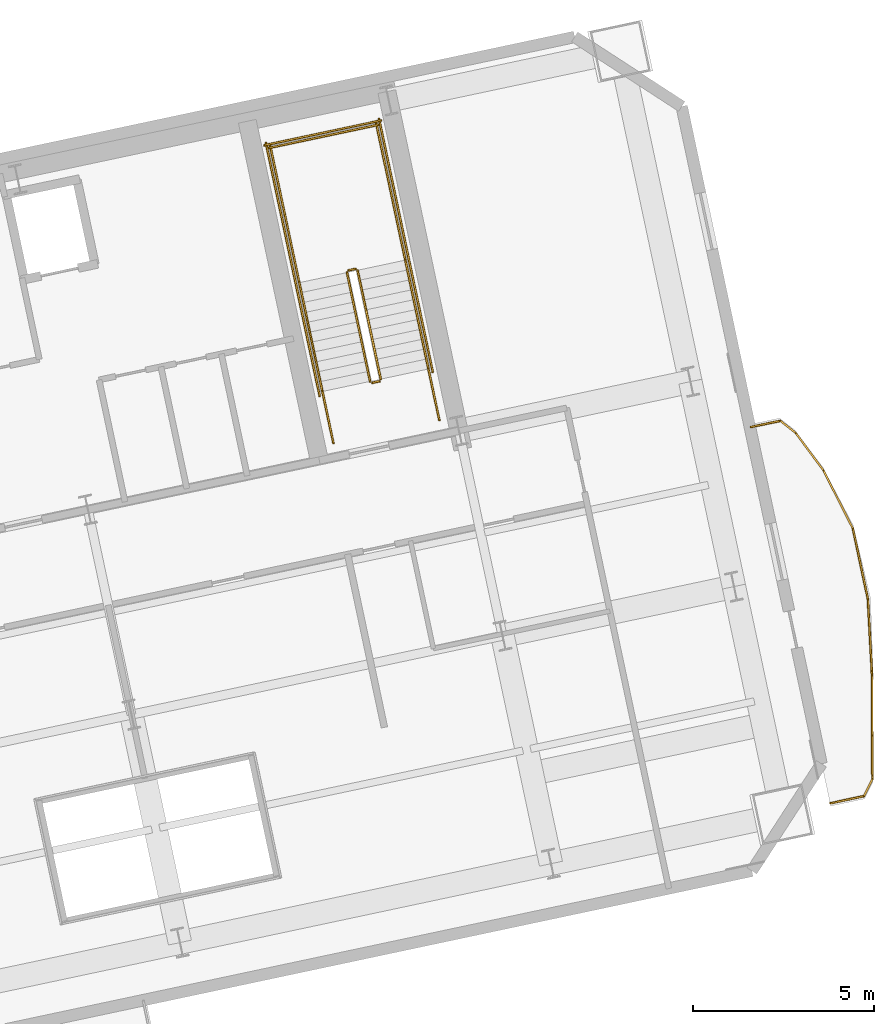
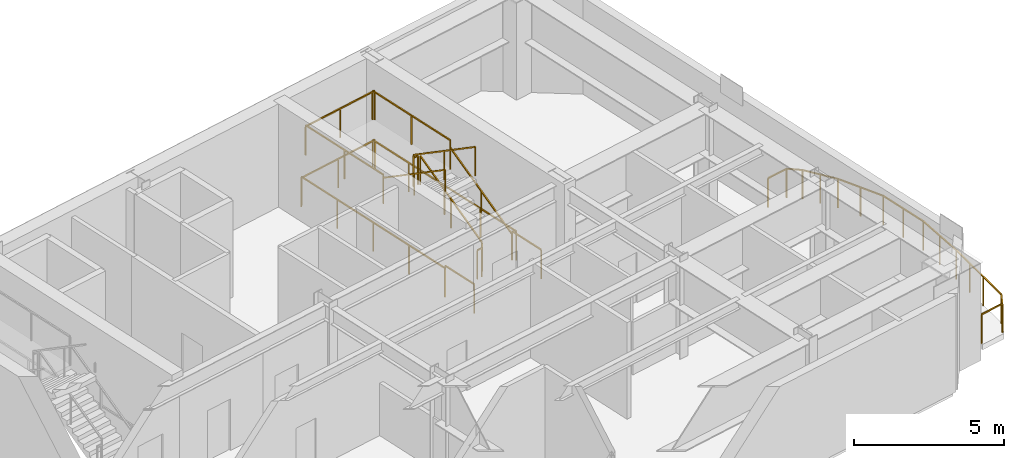
# One storey, part 15 of 15: 24 railings.
"""IFC4 building model written with IfcOpenShell, lengths in metres."""

from ifc_helpers import new_model, si_unit, direction, frame, origin, origin_2d, place, context, subcontext, project, spatial, rectangle, extrude, material, type_object, element, save


model = new_model("IFC4")

# Units and contexts
model_context = context("Model", 3, precision=1e-05, world=origin(), true_north=direction((0.0, 1.0)))
body_context = subcontext(model_context, "Body", "Model", "MODEL_VIEW")
ifc_project = project(units=[si_unit("LENGTHUNIT", "METRE"), si_unit("AREAUNIT", "SQUARE_METRE"), si_unit("VOLUMEUNIT", "CUBIC_METRE"), si_unit("PLANEANGLEUNIT", "RADIAN"), si_unit("MASSUNIT", "GRAM", prefix="KILO")], contexts=[model_context])

# Site, building, storey
site_placement = place(None, origin())
site = spatial("IfcSite", under=ifc_project, at=site_placement, CompositionType="ELEMENT")
building_placement = place(site_placement, origin())
building = spatial("IfcBuilding", under=site, at=building_placement, Name="Haevon Station Towers", CompositionType="ELEMENT")
storey_placement = place(building_placement, frame((0.0, 0.0, 129.60009765625)))
storey = spatial("IfcBuildingStorey", under=building, at=storey_placement, Name="L35", CompositionType="ELEMENT", Elevation=129.60009765625)

# Railings
ifc_material = material(Name="Steel S355", Category="steel")
railing_type_1 = type_object("IfcRailingType", Name="GRD-EXT1200", PredefinedType="GUARDRAIL", material=ifc_material)
railing_1_placement = place(storey_placement, frame((129.584716796875, 31.5009765625, 0.0)))
element("IfcRailing", 1, at=railing_1_placement, inside=storey, type_object=railing_type_1, Name="L35 Perimeter Guardrail 1", PredefinedType="GUARDRAIL", context=body_context, shape_type="SweptSolid", body=[
    extrude(rectangle(XDim=0.048095703125, YDim=0.048095703125, at=origin_2d()), frame((0.0, 0.0, 1.17578125), z_axis=(0.97773800114, 0.209829457244, 0.0), x_axis=(-0.209829457244, 0.97773800114, 0.0)), (0.0, 0.0, 1.0), 0.943603515625),
    extrude(rectangle(XDim=0.0419921875, YDim=0.0419921875, at=origin_2d()), origin(), (0.0, 0.0, 1.0), 1.15185546875),
    extrude(rectangle(XDim=0.0419921875, YDim=0.0419921875, at=origin_2d()), frame((0.922607421875, 0.197998046875, 0.0)), (0.0, 0.0, 1.0), 1.15185546875),
])
railing_2_placement = place(storey_placement, frame((130.50732421875, 31.698974609375, 0.0)))
element("IfcRailing", 2, at=railing_2_placement, inside=storey, type_object=railing_type_1, Name="L35 Perimeter Guardrail 2", PredefinedType="GUARDRAIL", context=body_context, shape_type="SweptSolid", body=[
    extrude(rectangle(XDim=0.048095703125, YDim=0.048095703125, at=origin_2d()), frame((0.0, 0.0, 1.17578125), z_axis=(0.441418206512, 0.897301491673, 0.0), x_axis=(-0.897301491673, 0.441418206512, 0.0)), (0.0, 0.0, 1.0), 0.523193359375),
    extrude(rectangle(XDim=0.0419921875, YDim=0.0419921875, at=origin_2d()), origin(), (0.0, 0.0, 1.0), 1.15185546875),
    extrude(rectangle(XDim=0.0419921875, YDim=0.0419921875, at=origin_2d()), frame((0.23095703125, 0.469482421875, 0.0)), (0.0, 0.0, 1.0), 1.15185546875),
])
railing_3_placement = place(storey_placement, frame((130.73828125, 32.16845703125, 0.0)))
element("IfcRailing", 3, at=railing_3_placement, inside=storey, type_object=railing_type_1, Name="L35 Perimeter Guardrail 3", PredefinedType="GUARDRAIL", context=body_context, shape_type="SweptSolid", body=[
    extrude(rectangle(XDim=0.048095703125, YDim=0.048095703125, at=origin_2d()), frame((0.0, 0.0, 1.17578125), z_axis=(-0.005720028996, 0.9999836405, 0.0), x_axis=(-0.9999836405, -0.005720028996, 0.0)), (0.0, 0.0, 1.0), 1.195068359375),
    extrude(rectangle(XDim=0.0419921875, YDim=0.0419921875, at=origin_2d()), origin(), (0.0, 0.0, 1.0), 1.15185546875),
    extrude(rectangle(XDim=0.0419921875, YDim=0.0419921875, at=origin_2d()), frame((-0.0068359375, 1.195068359375, 0.0)), (0.0, 0.0, 1.0), 1.15185546875),
])
railing_4_placement = place(storey_placement, frame((130.7314453125, 33.363525390625, 0.0)))
element("IfcRailing", 4, at=railing_4_placement, inside=storey, type_object=railing_type_1, Name="L35 Perimeter Guardrail 4", PredefinedType="GUARDRAIL", context=body_context, shape_type="SweptSolid", body=[
    extrude(rectangle(XDim=0.048095703125, YDim=0.048095703125, at=origin_2d()), frame((0.0, 0.0, 1.17578125), z_axis=(-0.00451123229, 0.99998982434, 0.0), x_axis=(-0.99998982434, -0.00451123229, 0.0)), (0.0, 0.0, 1.0), 1.785888671875),
    extrude(rectangle(XDim=0.0419921875, YDim=0.0419921875, at=origin_2d()), origin(), (0.0, 0.0, 1.0), 1.15185546875),
    extrude(rectangle(XDim=0.0419921875, YDim=0.0419921875, at=origin_2d()), frame((-0.00390625, 0.89306640625, 0.0)), (0.0, 0.0, 1.0), 1.15185546875),
    extrude(rectangle(XDim=0.0419921875, YDim=0.0419921875, at=origin_2d()), frame((-0.008056640625, 1.785888671875, 0.0)), (0.0, 0.0, 1.0), 1.15185546875),
])
railing_5_placement = place(storey_placement, frame((130.723388671875, 35.1494140625, 0.0)))
element("IfcRailing", 5, at=railing_5_placement, inside=storey, type_object=railing_type_1, Name="L35 Perimeter Guardrail 5", PredefinedType="GUARDRAIL", context=body_context, shape_type="SweptSolid", body=[
    extrude(rectangle(XDim=0.048095703125, YDim=0.048095703125, at=origin_2d()), frame((0.0, 0.0, 1.17578125), z_axis=(-0.055523734139, 0.998457367616, 0.0), x_axis=(-0.998457367616, -0.055523734139, 0.0)), (0.0, 0.0, 1.0), 2.013916015625),
    extrude(rectangle(XDim=0.0419921875, YDim=0.0419921875, at=origin_2d()), origin(), (0.0, 0.0, 1.0), 1.15185546875),
    extrude(rectangle(XDim=0.0419921875, YDim=0.0419921875, at=origin_2d()), frame((-0.055908203125, 1.00537109375, 0.0)), (0.0, 0.0, 1.0), 1.15185546875),
    extrude(rectangle(XDim=0.0419921875, YDim=0.0419921875, at=origin_2d()), frame((-0.11181640625, 2.0107421875, 0.0)), (0.0, 0.0, 1.0), 1.15185546875),
])
railing_6_placement = place(storey_placement, frame((130.611572265625, 37.16015625, 0.0)))
element("IfcRailing", 6, at=railing_6_placement, inside=storey, type_object=railing_type_1, Name="L35 Perimeter Guardrail 6", PredefinedType="GUARDRAIL", context=body_context, shape_type="SweptSolid", body=[
    extrude(rectangle(XDim=0.048095703125, YDim=0.048095703125, at=origin_2d()), frame((0.0, 0.0, 1.17578125), z_axis=(-0.208768076767, 0.97796517838, 0.0), x_axis=(-0.97796517838, -0.208768076767, 0.0)), (0.0, 0.0, 1.0), 1.993896484375),
    extrude(rectangle(XDim=0.0419921875, YDim=0.0419921875, at=origin_2d()), origin(), (0.0, 0.0, 1.0), 1.15185546875),
    extrude(rectangle(XDim=0.0419921875, YDim=0.0419921875, at=origin_2d()), frame((-0.2080078125, 0.97509765625, 0.0)), (0.0, 0.0, 1.0), 1.15185546875),
    extrude(rectangle(XDim=0.0419921875, YDim=0.0419921875, at=origin_2d()), frame((-0.416259765625, 1.949951171875, 0.0)), (0.0, 0.0, 1.0), 1.15185546875),
])
railing_7_placement = place(storey_placement, frame((130.1953125, 39.110107421875, 0.0)))
element("IfcRailing", 7, at=railing_7_placement, inside=storey, type_object=railing_type_1, Name="L35 Perimeter Guardrail 7", PredefinedType="GUARDRAIL", context=body_context, shape_type="SweptSolid", body=[
    extrude(rectangle(XDim=0.048095703125, YDim=0.048095703125, at=origin_2d()), frame((0.0, 0.0, 1.17578125), z_axis=(-0.452397956323, 0.891816174508, 0.0), x_axis=(-0.891816174508, -0.452397956323, 0.0)), (0.0, 0.0, 1.0), 1.8056640625),
    extrude(rectangle(XDim=0.0419921875, YDim=0.0419921875, at=origin_2d()), origin(), (0.0, 0.0, 1.0), 1.15185546875),
    extrude(rectangle(XDim=0.0419921875, YDim=0.0419921875, at=origin_2d()), frame((-0.408447265625, 0.80517578125, 0.0)), (0.0, 0.0, 1.0), 1.15185546875),
    extrude(rectangle(XDim=0.0419921875, YDim=0.0419921875, at=origin_2d()), frame((-0.81689453125, 1.6103515625, 0.0)), (0.0, 0.0, 1.0), 1.15185546875),
])
railing_8_placement = place(storey_placement, frame((129.37841796875, 40.720458984375, 0.0)))
element("IfcRailing", 8, at=railing_8_placement, inside=storey, type_object=railing_type_1, Name="L35 Perimeter Guardrail 8", PredefinedType="GUARDRAIL", context=body_context, shape_type="SweptSolid", body=[
    extrude(rectangle(XDim=0.048095703125, YDim=0.048095703125, at=origin_2d()), frame((0.0, 0.0, 1.17578125), z_axis=(-0.595527054435, 0.803335252206, 0.0), x_axis=(-0.803335252206, -0.595527054435, 0.0)), (0.0, 0.0, 1.0), 1.286376953125),
    extrude(rectangle(XDim=0.0419921875, YDim=0.0419921875, at=origin_2d()), origin(), (0.0, 0.0, 1.0), 1.15185546875),
    extrude(rectangle(XDim=0.0419921875, YDim=0.0419921875, at=origin_2d()), frame((-0.383056640625, 0.5166015625, 0.0)), (0.0, 0.0, 1.0), 1.15185546875),
    extrude(rectangle(XDim=0.0419921875, YDim=0.0419921875, at=origin_2d()), frame((-0.76611328125, 1.033447265625, 0.0)), (0.0, 0.0, 1.0), 1.15185546875),
])
railing_9_placement = place(storey_placement, frame((128.6123046875, 41.75390625, 0.0)))
element("IfcRailing", 9, at=railing_9_placement, inside=storey, type_object=railing_type_1, Name="L35 Perimeter Guardrail 9", PredefinedType="GUARDRAIL", context=body_context, shape_type="SweptSolid", body=[
    extrude(rectangle(XDim=0.048095703125, YDim=0.048095703125, at=origin_2d()), frame((0.0, 0.0, 1.17578125), z_axis=(-0.78582748016, 0.618445770805, 0.0), x_axis=(-0.618445770805, -0.78582748016, 0.0)), (0.0, 0.0, 1.0), 0.535400390625),
    extrude(rectangle(XDim=0.0419921875, YDim=0.0419921875, at=origin_2d()), origin(), (0.0, 0.0, 1.0), 1.15185546875),
    extrude(rectangle(XDim=0.0419921875, YDim=0.0419921875, at=origin_2d()), frame((-0.420654296875, 0.3310546875, 0.0)), (0.0, 0.0, 1.0), 1.15185546875),
])
railing_10_placement = place(storey_placement, frame((128.191650390625, 42.0849609375, 0.0)))
element("IfcRailing", 10, at=railing_10_placement, inside=storey, type_object=railing_type_1, Name="L35 Perimeter Guardrail 10", PredefinedType="GUARDRAIL", context=body_context, shape_type="SweptSolid", body=[
    extrude(rectangle(XDim=0.048095703125, YDim=0.048095703125, at=origin_2d()), frame((0.0, 0.0, 1.17578125), z_axis=(-0.978605406054, -0.205746103834, 0.0), x_axis=(0.205746103834, -0.978605406054, 0.0)), (0.0, 0.0, 1.0), 0.837646484375),
    extrude(rectangle(XDim=0.0419921875, YDim=0.0419921875, at=origin_2d()), origin(), (0.0, 0.0, 1.0), 1.15185546875),
    extrude(rectangle(XDim=0.0419921875, YDim=0.0419921875, at=origin_2d()), frame((-0.81982421875, -0.17236328125, 0.0)), (0.0, 0.0, 1.0), 1.15185546875),
])
railing_type_2 = type_object("IfcRailingType", Name="GRD-STR1200", PredefinedType="GUARDRAIL", material=ifc_material)
railing_11_placement = place(storey_placement, frame((117.128662109375, 43.23974609375, 0.1748046875)))
element("IfcRailing", 11, at=railing_11_placement, inside=storey, type_object=railing_type_2, Name="L35 ST4 Stair Guard 1", PredefinedType="GUARDRAIL", context=body_context, shape_type="SweptSolid", body=[
    extrude(rectangle(XDim=0.048095703125, YDim=0.048095703125, at=origin_2d()), frame((0.0, 0.0, 1.17578125), z_axis=(-0.176310905062, 0.829461139329, 0.53000819154), x_axis=(-0.978146762005, -0.207915636689, 0.0)), (0.0, 0.0, 1.0), 3.632080078125),
    extrude(rectangle(XDim=0.0419921875, YDim=0.0419921875, at=origin_2d()), origin(), (0.0, 0.0, 1.0), 1.15185546875),
    extrude(rectangle(XDim=0.0419921875, YDim=0.0419921875, at=origin_2d()), frame((-0.3203125, 1.50634765625, 0.96240234375)), (0.0, 0.0, 1.0), 1.15185546875),
    extrude(rectangle(XDim=0.0419921875, YDim=0.0419921875, at=origin_2d()), frame((-0.640380859375, 3.0126953125, 1.925048828125)), (0.0, 0.0, 1.0), 1.15185546875),
])
railing_12_placement = place(storey_placement, frame((116.428955078125, 46.291015625, 2.099853515625)))
element("IfcRailing", 12, at=railing_12_placement, inside=storey, type_object=railing_type_2, Name="L35 ST4 Stair Guard 2", PredefinedType="GUARDRAIL", context=body_context, shape_type="SweptSolid", body=[
    extrude(rectangle(XDim=0.048095703125, YDim=0.048095703125, at=origin_2d()), frame((0.0, 0.0, 1.17578125), z_axis=(-0.977962931203, -0.208778603291, 0.0), x_axis=(0.208778603291, -0.977962931203, 0.0)), (0.0, 0.0, 1.0), 0.199951171875),
    extrude(rectangle(XDim=0.0419921875, YDim=0.0419921875, at=origin_2d()), origin(), (0.0, 0.0, 1.0), 1.15185546875),
    extrude(rectangle(XDim=0.0419921875, YDim=0.0419921875, at=origin_2d()), frame((-0.195556640625, -0.041748046875, 0.0)), (0.0, 0.0, 1.0), 1.15185546875),
])
for number, where, name in (
    (13, (117.808837890625, 46.533203125, 2.099853515625), "L35 ST4 Stair Guard 3"),
    (14, (114.874267578125, 45.909423828125, 2.099853515625), "L35 ST4 Stair Guard 4"),
):
    element("IfcRailing", number, at=place(storey_placement, frame(where)), inside=storey, type_object=railing_type_2, Name=name, PredefinedType="GUARDRAIL", context=body_context, shape_type="SweptSolid", body=[
        extrude(rectangle(XDim=0.048095703125, YDim=0.048095703125, at=origin_2d()), frame((0.0, 0.0, 1.17578125), z_axis=(-0.207930432828, 0.978143616809, 0.0), x_axis=(-0.978143616809, -0.207930432828, 0.0)), (0.0, 0.0, 1.0), 3.869873046875),
        extrude(rectangle(XDim=0.0419921875, YDim=0.0419921875, at=origin_2d()), origin(), (0.0, 0.0, 1.0), 1.15185546875),
        extrude(rectangle(XDim=0.0419921875, YDim=0.0419921875, at=origin_2d()), frame((-0.40234375, 1.892578125, 0.0)), (0.0, 0.0, 1.0), 1.15185546875),
        extrude(rectangle(XDim=0.0419921875, YDim=0.0419921875, at=origin_2d()), frame((-0.8046875, 3.785400390625, 0.0)), (0.0, 0.0, 1.0), 1.15185546875),
    ])
railing_13_placement = place(storey_placement, frame((117.0634765625, 50.280029296875, 2.099853515625)))
element("IfcRailing", 15, at=railing_13_placement, inside=storey, type_object=railing_type_2, Name="L35 ST4 Stair Guard 5", PredefinedType="GUARDRAIL", context=body_context, shape_type="SweptSolid", body=[
    extrude(rectangle(XDim=0.048095703125, YDim=0.048095703125, at=origin_2d()), frame((0.0, 0.0, 1.17578125), z_axis=(-0.978146839882, -0.207915270313, 0.0), x_axis=(0.207915270313, -0.978146839882, 0.0)), (0.0, 0.0, 1.0), 3.099853515625),
    extrude(rectangle(XDim=0.0419921875, YDim=0.0419921875, at=origin_2d()), origin(), (0.0, 0.0, 1.0), 1.15185546875),
    extrude(rectangle(XDim=0.0419921875, YDim=0.0419921875, at=origin_2d()), frame((-1.51611328125, -0.322265625, 0.0)), (0.0, 0.0, 1.0), 1.15185546875),
    extrude(rectangle(XDim=0.0419921875, YDim=0.0419921875, at=origin_2d()), frame((-3.0322265625, -0.64453125, 0.0)), (0.0, 0.0, 1.0), 1.15185546875),
])
railing_14_placement = place(storey_placement, frame((116.19482421875, 46.18994140625, 2.27490234375)))
element("IfcRailing", 16, at=railing_14_placement, inside=storey, type_object=railing_type_2, Name="L35 ST4 Stair Guard 6", PredefinedType="GUARDRAIL", context=body_context, shape_type="SweptSolid", body=[
    extrude(rectangle(XDim=0.048095703125, YDim=0.048095703125, at=origin_2d()), frame((0.0, 0.0, 1.17578125), z_axis=(0.176310905062, -0.829461139329, 0.53000819154), x_axis=(0.978146762005, 0.207915636689, 0.0)), (0.0, 0.0, 1.0), 3.632080078125),
    extrude(rectangle(XDim=0.0419921875, YDim=0.0419921875, at=origin_2d()), origin(), (0.0, 0.0, 1.0), 1.15185546875),
    extrude(rectangle(XDim=0.0419921875, YDim=0.0419921875, at=origin_2d()), frame((0.3203125, -1.50634765625, 0.96240234375)), (0.0, 0.0, 1.0), 1.15185546875),
    extrude(rectangle(XDim=0.0419921875, YDim=0.0419921875, at=origin_2d()), frame((0.640380859375, -3.0126953125, 1.925048828125)), (0.0, 0.0, 1.0), 1.15185546875),
])
railing_15_placement = place(storey_placement, frame((117.090087890625, 43.180419921875, 0.0)))
element("IfcRailing", 17, at=railing_15_placement, inside=storey, type_object=railing_type_2, Name="L35 ST4 Stair Guard 7", PredefinedType="GUARDRAIL", context=body_context, shape_type="SweptSolid", body=[
    extrude(rectangle(XDim=0.048095703125, YDim=0.048095703125, at=origin_2d()), frame((0.0, 0.0, 1.17578125), z_axis=(-0.978211583308, -0.207610448392, 0.0), x_axis=(0.207610448392, -0.978211583308, 0.0)), (0.0, 0.0, 1.0), 0.199951171875),
    extrude(rectangle(XDim=0.0419921875, YDim=0.0419921875, at=origin_2d()), origin(), (0.0, 0.0, 1.0), 1.15185546875),
    extrude(rectangle(XDim=0.0419921875, YDim=0.0419921875, at=origin_2d()), frame((-0.195556640625, -0.04150390625, 0.0)), (0.0, 0.0, 1.0), 1.15185546875),
])
for number, where, name in (
    (18, (118.75048828125, 42.10205078125, 0.0), "L35 ST4 Stair Guard 8"),
    (19, (115.816162109375, 41.478271484375, 0.0), "L35 ST4 Stair Guard 9"),
):
    element("IfcRailing", number, at=place(storey_placement, frame(where)), inside=storey, type_object=railing_type_2, Name=name, PredefinedType="GUARDRAIL", context=body_context, shape_type="SweptSolid", body=[
        extrude(rectangle(XDim=0.048095703125, YDim=0.048095703125, at=origin_2d()), frame((0.0, 0.0, 1.17578125), z_axis=(-0.207919161079, 0.978146012851, 0.0), x_axis=(-0.978146012851, -0.207919161079, 0.0)), (0.0, 0.0, 1.0), 1.4501953125),
        extrude(rectangle(XDim=0.0419921875, YDim=0.0419921875, at=origin_2d()), origin(), (0.0, 0.0, 1.0), 1.15185546875),
        extrude(rectangle(XDim=0.0419921875, YDim=0.0419921875, at=origin_2d()), frame((-0.301513671875, 1.41845703125, 0.0)), (0.0, 0.0, 1.0), 1.15185546875),
    ])
railing_16_placement = place(storey_placement, frame((118.567626953125, 43.443359375, 0.0)))
element("IfcRailing", 20, at=railing_16_placement, inside=storey, type_object=railing_type_2, Name="L35 ST4 Stair Guard 10", PredefinedType="GUARDRAIL", context=body_context, shape_type="SweptSolid", body=[
    extrude(rectangle(XDim=0.048095703125, YDim=0.048095703125, at=origin_2d()), frame((0.0, 0.0, 1.17578125), z_axis=(-0.207908168386, 0.978148349443, 0.0), x_axis=(-0.978148349443, -0.207908168386, 0.0)), (0.0, 0.0, 1.0), 7.150146484375),
    extrude(rectangle(XDim=0.0419921875, YDim=0.0419921875, at=origin_2d()), origin(), (0.0, 0.0, 1.0), 1.15185546875),
    extrude(rectangle(XDim=0.0419921875, YDim=0.0419921875, at=origin_2d()), frame((-0.37158203125, 1.74853515625, 0.0)), (0.0, 0.0, 1.0), 1.15185546875),
    extrude(rectangle(XDim=0.0419921875, YDim=0.0419921875, at=origin_2d()), frame((-0.7431640625, 3.4970703125, 0.0)), (0.0, 0.0, 1.0), 1.15185546875),
    extrude(rectangle(XDim=0.0419921875, YDim=0.0419921875, at=origin_2d()), frame((-1.114990234375, 5.245361328125, 0.0)), (0.0, 0.0, 1.0), 1.15185546875),
    extrude(rectangle(XDim=0.0419921875, YDim=0.0419921875, at=origin_2d()), frame((-1.486572265625, 6.993896484375, 0.0)), (0.0, 0.0, 1.0), 1.15185546875),
])
railing_17_placement = place(storey_placement, frame((115.4375, 42.778076171875, 0.0)))
element("IfcRailing", 21, at=railing_17_placement, inside=storey, type_object=railing_type_2, Name="L35 ST4 Stair Guard 11", PredefinedType="GUARDRAIL", context=body_context, shape_type="SweptSolid", body=[
    extrude(rectangle(XDim=0.048095703125, YDim=0.048095703125, at=origin_2d()), frame((0.0, 0.0, 1.17578125), z_axis=(-0.207882442208, 0.978153817261, 0.0), x_axis=(-0.978153817261, -0.207882442208, 0.0)), (0.0, 0.0, 1.0), 7.14990234375),
    extrude(rectangle(XDim=0.0419921875, YDim=0.0419921875, at=origin_2d()), origin(), (0.0, 0.0, 1.0), 1.15185546875),
    extrude(rectangle(XDim=0.0419921875, YDim=0.0419921875, at=origin_2d()), frame((-0.37158203125, 1.74853515625, 0.0)), (0.0, 0.0, 1.0), 1.15185546875),
    extrude(rectangle(XDim=0.0419921875, YDim=0.0419921875, at=origin_2d()), frame((-0.7431640625, 3.496826171875, 0.0)), (0.0, 0.0, 1.0), 1.15185546875),
    extrude(rectangle(XDim=0.0419921875, YDim=0.0419921875, at=origin_2d()), frame((-1.11474609375, 5.2451171875, 0.0)), (0.0, 0.0, 1.0), 1.15185546875),
    extrude(rectangle(XDim=0.0419921875, YDim=0.0419921875, at=origin_2d()), frame((-1.486328125, 6.99365234375, 0.0)), (0.0, 0.0, 1.0), 1.15185546875),
])
railing_18_placement = place(storey_placement, frame((117.140380859375, 50.398681640625, 0.0)))
element("IfcRailing", 22, at=railing_18_placement, inside=storey, type_object=railing_type_2, Name="L35 ST4 Stair Guard 12", PredefinedType="GUARDRAIL", context=body_context, shape_type="SweptSolid", body=[
    extrude(rectangle(XDim=0.048095703125, YDim=0.048095703125, at=origin_2d()), frame((0.0, 0.0, 1.17578125), z_axis=(-0.978135717418, -0.207967589567, 0.0), x_axis=(0.207967589567, -0.978135717418, 0.0)), (0.0, 0.0, 1.0), 3.300048828125),
    extrude(rectangle(XDim=0.0419921875, YDim=0.0419921875, at=origin_2d()), origin(), (0.0, 0.0, 1.0), 1.15185546875),
    extrude(rectangle(XDim=0.0419921875, YDim=0.0419921875, at=origin_2d()), frame((-1.61376953125, -0.34326171875, 0.0)), (0.0, 0.0, 1.0), 1.15185546875),
    extrude(rectangle(XDim=0.0419921875, YDim=0.0419921875, at=origin_2d()), frame((-3.227783203125, -0.686279296875, 0.0)), (0.0, 0.0, 1.0), 1.15185546875),
])
railing_type_3 = type_object("IfcRailingType", Name="HND-STR900", PredefinedType="HANDRAIL", material=ifc_material)
railing_19_placement = place(storey_placement, frame((118.448974609375, 43.5205078125, 0.1748046875)))
element("IfcRailing", 23, at=railing_19_placement, inside=storey, type_object=railing_type_3, Name="L35 ST4 Stair Handrail 1", PredefinedType="HANDRAIL", context=body_context, shape_type="SweptSolid", body=[
    extrude(rectangle(XDim=0.048095703125, YDim=0.048095703125, at=origin_2d()), frame((0.0, 0.0, 0.8759765625), z_axis=(-0.176245776117, 0.829470967688, 0.530014471655), x_axis=(-0.978162879887, -0.207839795062, 0.0)), (0.0, 0.0, 1.0), 3.632080078125),
    extrude(rectangle(XDim=0.0419921875, YDim=0.0419921875, at=origin_2d()), origin(), (0.0, 0.0, 1.0), 0.851806640625),
    extrude(rectangle(XDim=0.0419921875, YDim=0.0419921875, at=origin_2d()), frame((-0.320068359375, 1.50634765625, 0.96240234375)), (0.0, 0.0, 1.0), 0.851806640625),
    extrude(rectangle(XDim=0.0419921875, YDim=0.0419921875, at=origin_2d()), frame((-0.64013671875, 3.0126953125, 1.925048828125)), (0.0, 0.0, 1.0), 0.851806640625),
])
railing_20_placement = place(storey_placement, frame((114.874267578125, 45.909423828125, 2.27490234375)))
element("IfcRailing", 24, at=railing_20_placement, inside=storey, type_object=railing_type_3, Name="L35 ST4 Stair Handrail 2", PredefinedType="HANDRAIL", context=body_context, shape_type="SweptSolid", body=[
    extrude(rectangle(XDim=0.048095703125, YDim=0.048095703125, at=origin_2d()), frame((0.0, 0.0, 0.8759765625), z_axis=(0.176310905062, -0.829461139329, 0.53000819154), x_axis=(0.978146762005, 0.207915636689, 0.0)), (0.0, 0.0, 1.0), 3.632080078125),
    extrude(rectangle(XDim=0.0419921875, YDim=0.0419921875, at=origin_2d()), origin(), (0.0, 0.0, 1.0), 0.851806640625),
    extrude(rectangle(XDim=0.0419921875, YDim=0.0419921875, at=origin_2d()), frame((0.3203125, -1.50634765625, 0.96240234375)), (0.0, 0.0, 1.0), 0.851806640625),
    extrude(rectangle(XDim=0.0419921875, YDim=0.0419921875, at=origin_2d()), frame((0.640380859375, -3.0126953125, 1.925048828125)), (0.0, 0.0, 1.0), 0.851806640625),
])

save(model, "model.ifc")
